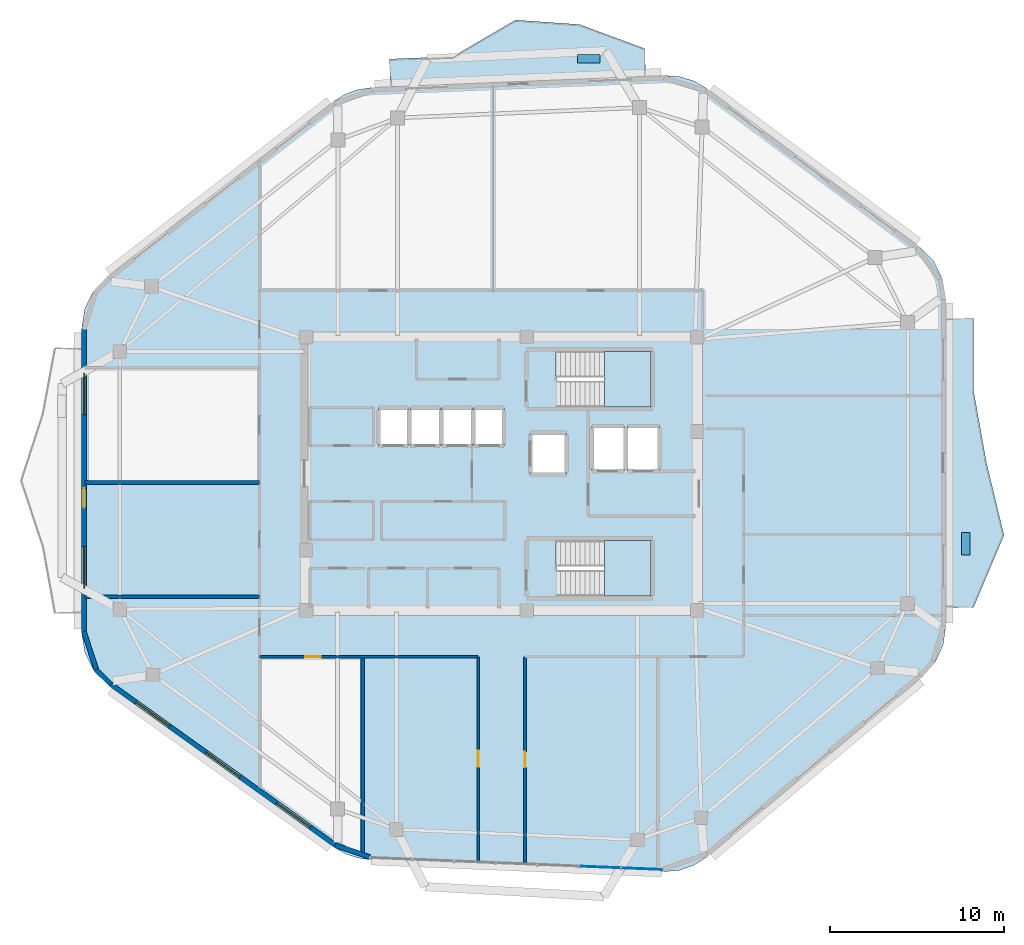
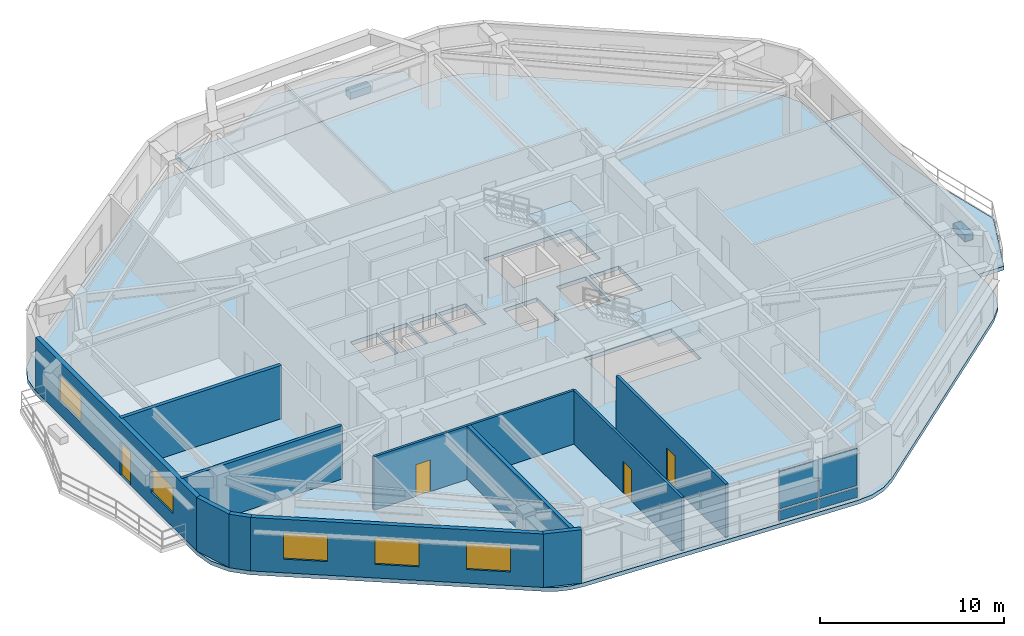
# One storey, part 7 of 13: 11 walls, 6 plates, 5 slabs, 5 windows, 4 doors, 9 openings, 3 elements without a shape of their own.
"""IFC4 building model written with IfcOpenShell, lengths in metres."""

from ifc_helpers import new_model, si_unit, direction, frame, frame_2d, origin, origin_2d, place, context, subcontext, project, spatial, polyline, rectangle, outline, extrude, material, layer, layer_set, type_object, element, fill, aggregate, save


model = new_model("IFC4")

# Units and contexts
model_context = context("Model", 3, precision=1e-05, world=origin(), true_north=direction((0.0, 1.0)))
body_context = subcontext(model_context, "Body", "Model", "MODEL_VIEW")
ifc_project = project(units=[si_unit("LENGTHUNIT", "METRE"), si_unit("AREAUNIT", "SQUARE_METRE"), si_unit("VOLUMEUNIT", "CUBIC_METRE"), si_unit("PLANEANGLEUNIT", "RADIAN"), si_unit("MASSUNIT", "GRAM", prefix="KILO")], contexts=[model_context])

# Site, building, storey
site_placement = place(None, origin())
site = spatial("IfcSite", under=ifc_project, at=site_placement, CompositionType="ELEMENT")
building_placement = place(site_placement, origin())
building = spatial("IfcBuilding", under=site, at=building_placement, Name="Zulverin Broadcast Headquarters", CompositionType="ELEMENT")
storey_placement = place(building_placement, frame((0.0, 0.0, 301.0)))
storey = spatial("IfcBuildingStorey", under=building, at=storey_placement, Name="L77", CompositionType="ELEMENT", Elevation=301.0)

# Curtain wall, plates
ifc_material_1 = material(Name="High-zone solar-control unitised curtain wall", Category="aluminium")
curtain_wall_type = type_object("IfcCurtainWallType", Name="CW-TWR-UPP", PredefinedType="USERDEFINED", material=ifc_material_1)
curtain_wall_placement = place(storey_placement, origin())
curtain_wall = element("IfcCurtainWall", 1, at=curtain_wall_placement, inside=storey, type_object=curtain_wall_type, Name="L77 Unitised Curtain Wall CW-L77-E1", ObjectType="UNITISED CURTAIN WALL", PredefinedType="USERDEFINED")
ifc_material_2 = material(Name="Low-E double-glazed pale-silver vision glass", Category="glass")
ifc_layer_1 = layer(ifc_material_2, 0.035888671875, Name="Low-E double-glazed pale-silver vision glass", Category="glass")
ifc_layer_set_1 = layer_set([ifc_layer_1], Name="Low-E double-glazed pale-silver vision glass")
plate_type_1 = type_object("IfcPlateType", Name="CW-PNL-GLZ", PredefinedType="CURTAIN_PANEL", material=ifc_layer_set_1)
plate_1_placement = place(storey_placement, frame((42.67626953125, 2.52880859375, 0.91455078125), z_axis=(0.0, 0.0, 1.0), x_axis=(0.99915627139, -0.041070005388, 0.0)))
plate_1 = element("IfcPlate", 2, at=plate_1_placement, type_object=plate_type_1, Name="CW-L77-E1 Vision Panel 05", PredefinedType="CURTAIN_PANEL", context=body_context, shape_type="SweptSolid", body=[
    extrude(rectangle(XDim=2.370849609375, YDim=0.035888671875, at=origin_2d()), origin(), (0.0, 0.0, 1.0), 2.4853515625),
])
plate_2_placement = place(storey_placement, frame((45.0849609375, 2.4296875, 0.91455078125), z_axis=(0.0, 0.0, 1.0), x_axis=(0.99915627139, -0.041070005388, 0.0)))
plate_2 = element("IfcPlate", 3, at=plate_2_placement, type_object=plate_type_1, Name="CW-L77-E1 Vision Panel 06", PredefinedType="CURTAIN_PANEL", context=body_context, shape_type="SweptSolid", body=[
    extrude(rectangle(XDim=2.370849609375, YDim=0.035888671875, at=origin_2d()), origin(), (0.0, 0.0, 1.0), 2.4853515625),
])
ifc_material_3 = material(Name="Insulated brushed pale-aluminium spandrel cassette", Category="aluminium")
ifc_layer_2 = layer(ifc_material_3, 0.050048828125, Name="Insulated brushed pale-aluminium spandrel cassette", Category="aluminium")
ifc_layer_set_2 = layer_set([ifc_layer_2], Name="Insulated brushed pale-aluminium spandrel cassette")
plate_type_2 = type_object("IfcPlateType", Name="CW-PNL-SPN", PredefinedType="CURTAIN_PANEL", material=ifc_layer_set_2)
plate_3_placement = place(storey_placement, frame((42.67626953125, 2.52880859375, 0.14013671875), z_axis=(0.0, 0.0, 1.0), x_axis=(0.99915627139, -0.041070005388, 0.0)))
plate_3 = element("IfcPlate", 4, at=plate_3_placement, type_object=plate_type_2, Name="CW-L77-E1 Spandrel Cassette 05", PredefinedType="CURTAIN_PANEL", context=body_context, shape_type="SweptSolid", body=[
    extrude(rectangle(XDim=2.370849609375, YDim=0.050048828125, at=origin_2d()), origin(), (0.0, 0.0, 1.0), 0.64453125),
])
plate_4_placement = place(storey_placement, frame((45.0849609375, 2.4296875, 0.14013671875), z_axis=(0.0, 0.0, 1.0), x_axis=(0.99915627139, -0.041070005388, 0.0)))
plate_4 = element("IfcPlate", 5, at=plate_4_placement, type_object=plate_type_2, Name="CW-L77-E1 Spandrel Cassette 06", PredefinedType="CURTAIN_PANEL", context=body_context, shape_type="SweptSolid", body=[
    extrude(rectangle(XDim=2.370849609375, YDim=0.050048828125, at=origin_2d()), origin(), (0.0, 0.0, 1.0), 0.64453125),
])
aggregate(curtain_wall, [plate_3, plate_1, plate_4, plate_2])

# Plates
ifc_material_4 = material(Name="Precast concrete C45/55", Category="concrete")
ifc_layer_3 = layer(ifc_material_4, 0.449951171875, Name="Precast concrete C45/55", Category="concrete")
ifc_layer_set_3 = layer_set([ifc_layer_3], Name="Precast concrete C45/55")
plate_type_3 = type_object("IfcPlateType", Name="PT-01_PRECAST_GFRC_TREE_PLANTER", PredefinedType="USERDEFINED", material=ifc_layer_set_3)
for number, where, z_axis, x_axis, name in (
    (6, (63.75, 21.159423828125, -0.0048828125), (0.0, 0.0, 1.0), (0.0, 1.0, 0.0), "L77 Precast GFRC Tree Planter BAL_E"),
    (7, (42.025390625, 49.115478515625, -0.0048828125), (0.0, 0.0, 1.0), (1.0, 0.0, 0.0), "L77 Precast GFRC Tree Planter BAL_N"),
):
    element("IfcPlate", number, at=place(storey_placement, frame(where, z_axis=z_axis, x_axis=x_axis)), inside=storey, type_object=plate_type_3, Name=name, ObjectType="PLANTER", PredefinedType="USERDEFINED", context=body_context, shape_type="SweptSolid", body=[
        extrude(rectangle(XDim=1.300048828125, YDim=0.5, at=origin_2d()), origin(), (0.0, 0.0, 1.0), 0.449951171875),
    ])

# Slabs
ifc_material_5 = material(Name="Concrete C40/50", Category="concrete")
ifc_layer_4 = layer(ifc_material_5, 0.260009765625, Name="Concrete C40/50", Category="concrete")
ifc_layer_set_4 = layer_set([ifc_layer_4], Name="Concrete C40/50")
slab_type_1 = type_object("IfcSlabType", Name="SLB-BAL-260", PredefinedType="FLOOR", material=ifc_layer_set_4)
slab_1_placement = place(storey_placement, frame((0.0, 0.0, -0.260009765625)))
element("IfcSlab", 8, at=slab_1_placement, inside=storey, type_object=slab_type_1, Name="L77 Cantilevered Planted Balcony Slab BAL_E", PredefinedType="FLOOR", context=body_context, shape_type="SweptSolid", body=[
    extrude(outline(polyline([(62.60009765625, 34.150146484375), (62.60009765625, 17.49560546875), (64.199951171875, 17.49560546875), (65.9541015625, 21.6591796875), (64.9462890625, 25.82275390625), (64.199951171875, 29.986328125), (64.199951171875, 34.150146484375), (62.60009765625, 34.150146484375)])), origin(), (0.0, 0.0, 1.0), 0.260009765625),
])
slab_2_placement = place(storey_placement, frame((0.0, 0.0, -0.260009765625)))
element("IfcSlab", 9, at=slab_2_placement, inside=storey, type_object=slab_type_1, Name="L77 Cantilevered Planted Balcony Slab BAL_N", PredefinedType="FLOOR", context=body_context, shape_type="SweptSolid", body=[
    extrude(outline(polyline([(30.598388671875, 47.4951171875), (45.308837890625, 48.099609375), (45.2431640625, 49.6982421875), (41.50244140625, 51.084716796875), (37.807861328125, 51.34423828125), (34.210205078125, 49.244873046875), (30.532470703125, 49.093505859375), (30.598388671875, 47.4951171875)])), origin(), (0.0, 0.0, 1.0), 0.260009765625),
])

# Stair, slab
stair_type = type_object("IfcStairType", Name="ST-CORE-1500", PredefinedType="HALF_TURN_STAIR", material=ifc_material_5)
stair_1_placement = place(storey_placement, origin())
stair_1 = element("IfcStair", 10, at=stair_1_placement, inside=storey, type_object=stair_type, Name="L77 Core Exit Stair ST-1", PredefinedType="HALF_TURN_STAIR")
ifc_layer_5 = layer(ifc_material_5, 0.199951171875, Name="Concrete C40/50", Category="concrete")
ifc_layer_set_5 = layer_set([ifc_layer_5], Name="Concrete C40/50")
slab_type_2 = type_object("IfcSlabType", Name="SLB-ST-LND200", PredefinedType="LANDING", material=ifc_layer_set_5)
slab_3_placement = place(storey_placement, frame((0.0, 0.0, 1.699951171875)))
slab_3 = element("IfcSlab", 11, at=slab_3_placement, type_object=slab_type_2, Name="ST-1 landing 1", PredefinedType="LANDING", context=body_context, shape_type="SweptSolid", body=[
    extrude(outline(polyline([(42.929931640625, 29.050048828125), (45.60009765625, 29.050048828125), (45.60009765625, 32.25), (42.929931640625, 32.25), (42.929931640625, 29.050048828125)])), origin(), (0.0, 0.0, 1.0), 0.199951171875),
])
aggregate(stair_1, [slab_3])

stair_2_placement = place(storey_placement, origin())
stair_2 = element("IfcStair", 12, at=stair_2_placement, inside=storey, type_object=stair_type, Name="L77 Core Exit Stair ST-2", PredefinedType="HALF_TURN_STAIR")
slab_4_placement = place(storey_placement, frame((0.0, 0.0, 1.699951171875)))
slab_4 = element("IfcSlab", 13, at=slab_4_placement, type_object=slab_type_2, Name="ST-2 landing 1", PredefinedType="LANDING", context=body_context, shape_type="SweptSolid", body=[
    extrude(outline(polyline([(42.929931640625, 18.14990234375), (45.60009765625, 18.14990234375), (45.60009765625, 21.35009765625), (42.929931640625, 21.35009765625), (42.929931640625, 18.14990234375)])), origin(), (0.0, 0.0, 1.0), 0.199951171875),
])
aggregate(stair_2, [slab_4])

# Slab
ifc_layer_6 = layer(ifc_material_5, 0.260009765625, Name="Concrete C40/50", Category="concrete")
ifc_layer_set_6 = layer_set([ifc_layer_6], Name="Concrete C40/50")
slab_type_3 = type_object("IfcSlabType", Name="SLB-TWR-260", PredefinedType="FLOOR", material=ifc_layer_set_6)
slab_5_placement = place(storey_placement, frame((0.0, 0.0, -0.260009765625)))
element("IfcSlab", 14, at=slab_5_placement, inside=storey, type_object=slab_type_3, Name="L77 Main Structural Floor Slab", PredefinedType="FLOOR", context=body_context, shape_type="SweptSolid", body=[
    extrude(outline(polyline([(27.364990234375, 3.66162109375), (28.00048828125, 3.293212890625), (28.695068359375, 3.05419921875), (29.422607421875, 2.953369140625), (46.284423828125, 2.26025390625), (47.21337890625, 2.33642578125), (48.095703125, 2.63671875), (48.878662109375, 3.142333984375), (61.238037109375, 13.480712890625), (61.97265625, 14.30419921875), (62.439697265625, 15.3037109375), (62.60009765625, 16.3955078125), (62.60009765625, 35.25), (62.418212890625, 36.4111328125), (61.890625, 37.4609375), (61.0673828125, 38.299560546875), (48.831298828125, 47.3974609375), (48.087646484375, 47.8291015625), (47.265869140625, 48.08251953125), (46.407958984375, 48.144775390625), (29.499267578125, 47.44970703125), (28.726318359375, 47.337646484375), (27.992919921875, 47.070068359375), (27.329345703125, 46.657958984375), (14.274169921875, 36.552978515625), (13.481201171875, 35.71875), (12.974365234375, 34.685546875), (12.800048828125, 33.548095703125), (12.800048828125, 16.0517578125), (12.988525390625, 14.86962890625), (13.535400390625, 13.804931640625), (14.386474609375, 12.963134765625), (27.364990234375, 3.66162109375)]), holes=[polyline([(40.155029296875, 30.75), (40.130126953125, 30.75), (40.130126953125, 32.25), (45.60009765625, 32.25), (45.60009765625, 29.050048828125), (40.155029296875, 29.050048828125), (40.155029296875, 30.75)]), polyline([(40.155029296875, 19.85009765625), (40.130126953125, 19.85009765625), (40.130126953125, 21.35009765625), (45.60009765625, 21.35009765625), (45.60009765625, 18.14990234375), (40.155029296875, 18.14990234375), (40.155029296875, 19.85009765625)]), polyline([(29.89990234375, 26.800048828125), (31.6201171875, 26.800048828125), (31.6201171875, 29.0), (29.89990234375, 29.0), (29.89990234375, 26.800048828125)]), polyline([(31.739990234375, 26.800048828125), (33.4599609375, 26.800048828125), (33.4599609375, 29.0), (31.739990234375, 29.0), (31.739990234375, 26.800048828125)]), polyline([(33.580078125, 26.800048828125), (35.300048828125, 26.800048828125), (35.300048828125, 29.0), (33.580078125, 29.0), (33.580078125, 26.800048828125)]), polyline([(35.419921875, 26.800048828125), (37.139892578125, 26.800048828125), (37.139892578125, 29.0), (35.419921875, 29.0), (35.419921875, 26.800048828125)]), polyline([(42.199951171875, 25.35009765625), (44.050048828125, 25.35009765625), (44.050048828125, 27.949951171875), (42.199951171875, 27.949951171875), (42.199951171875, 25.35009765625)]), polyline([(44.25, 25.35009765625), (46.10009765625, 25.35009765625), (46.10009765625, 27.949951171875), (44.25, 27.949951171875), (44.25, 25.35009765625)]), polyline([(38.64990234375, 25.14990234375), (40.75, 25.14990234375), (40.75, 27.550048828125), (38.64990234375, 27.550048828125), (38.64990234375, 25.14990234375)])]), origin(), (0.0, 0.0, 1.0), 0.260009765625),
])

# Walls
ifc_material_6 = material(Name="Acoustic drywall steel stud", Category="steel")
ifc_layer_7 = layer(ifc_material_6, 0.199951171875, Name="Acoustic drywall steel stud", Category="steel")
ifc_layer_set_7 = layer_set([ifc_layer_7], Name="Acoustic drywall steel stud")
wall_type_1 = type_object("IfcWallType", Name="WL-ACOU-200", PredefinedType="PARTITIONING", material=ifc_layer_set_7)
wall_1_placement = place(storey_placement, frame((13.0048828125, 18.10009765625, 0.0), z_axis=(0.0, 0.0, 1.0), x_axis=(1.0, 0.0, 0.0)))
element("IfcWall", 15, at=wall_1_placement, inside=storey, type_object=wall_type_1, Name="L77 Room Partition Wall RP-12", PredefinedType="PARTITIONING", context=body_context, shape_type="SweptSolid", body=[
    extrude(rectangle(XDim=10.045166015625, YDim=0.199951171875, at=frame_2d((5.0224609375, 0.0))), origin(), (0.0, 0.0, 1.0), 3.5400390625),
])
ifc_material_7 = material(Name="Double-stud acoustic drywall", Category="gypsum")
ifc_layer_8 = layer(ifc_material_7, 0.219970703125, Name="Double-stud acoustic drywall", Category="gypsum")
ifc_layer_set_8 = layer_set([ifc_layer_8], Name="Double-stud acoustic drywall")
wall_type_2 = type_object("IfcWallType", Name="WL-ACOU-220", PredefinedType="PARTITIONING", material=ifc_layer_set_8)
wall_2_placement = place(storey_placement, frame((29.0, 3.217041015625, 0.0), z_axis=(0.0, 0.0, 1.0), x_axis=(0.0, 1.0, 0.0)))
element("IfcWall", 16, at=wall_2_placement, inside=storey, type_object=wall_type_2, Name="L77 Room Partition Wall RP-07", PredefinedType="PARTITIONING", context=body_context, shape_type="SweptSolid", body=[
    extrude(rectangle(XDim=11.432861328125, YDim=0.219970703125, at=frame_2d((5.71630859375, 0.0))), origin(), (0.0, 0.0, 1.0), 3.5400390625),
])
wall_3_placement = place(storey_placement, frame((13.0048828125, 24.699951171875, 0.0), z_axis=(0.0, 0.0, 1.0), x_axis=(1.0, 0.0, 0.0)))
element("IfcWall", 17, at=wall_3_placement, inside=storey, type_object=wall_type_2, Name="L77 Room Partition Wall RP-14", PredefinedType="PARTITIONING", context=body_context, shape_type="SweptSolid", body=[
    extrude(rectangle(XDim=10.045166015625, YDim=0.219970703125, at=frame_2d((5.0224609375, 0.0))), origin(), (0.0, 0.0, 1.0), 3.5400390625),
])

# Wall, openings, door, windows
ifc_material_8 = material(Name="Insulated pale-metal clad concrete spandrel C40/50", Category="concrete")
ifc_layer_9 = layer(ifc_material_8, 0.280029296875, Name="Insulated pale-metal clad concrete spandrel C40/50", Category="concrete")
ifc_layer_set_9 = layer_set([ifc_layer_9], Name="Insulated pale-metal clad concrete spandrel C40/50")
wall_type_3 = type_object("IfcWallType", Name="WL-EXT-280", PredefinedType="STANDARD", material=ifc_layer_set_9)
wall_4_placement = place(storey_placement, frame((12.93994140625, 33.548095703125, 0.0), z_axis=(0.0, 0.0, 1.0), x_axis=(0.0, -1.0, 0.0)))
wall_4 = element("IfcWall", 18, at=wall_4_placement, inside=storey, type_object=wall_type_3, Name="L77 Pale-Metal Clad Spandrel Wall 7", PredefinedType="STANDARD", context=body_context, shape_type="SweptSolid", body=[
    extrude(rectangle(XDim=17.496337890625, YDim=0.280029296875, at=frame_2d((8.748046875, 0.0))), origin(), (0.0, 0.0, 1.0), 3.5400390625),
])
opening_1_placement = place(wall_4_placement, frame((9.1982421875, 0.0, 0.0)))
opening_1 = element("IfcOpeningElement", 19, at=opening_1_placement, cuts=wall_4, Name="Opening D-L77-TR7", PredefinedType="OPENING", context=body_context, shape_type="SweptSolid", body=[
    extrude(rectangle(XDim=1.10009765625, YDim=2.199951171875, at=frame_2d((0.550048828125, 1.10009765625))), frame((0.0, 0.14990234375, 0.0), z_axis=(0.0, -1.0, 0.0), x_axis=(1.0, 0.0, 0.0)), (0.0, 0.0, 1.0), 0.300048828125),
])
opening_2_placement = place(wall_4_placement, frame((2.54931640625, 0.0, 0.89990234375)))
opening_2 = element("IfcOpeningElement", 20, at=opening_2_placement, cuts=wall_4, Name="Opening W-L77-E71", PredefinedType="OPENING", context=body_context, shape_type="SweptSolid", body=[
    extrude(rectangle(XDim=2.39990234375, YDim=1.75, at=frame_2d((1.199951171875, 0.875))), frame((0.0, 0.14990234375, 0.0), z_axis=(0.0, -1.0, 0.0), x_axis=(1.0, 0.0, 0.0)), (0.0, 0.0, 1.0), 0.300048828125),
])
opening_3_placement = place(wall_4_placement, frame((12.546875, 0.0, 0.89990234375)))
opening_3 = element("IfcOpeningElement", 21, at=opening_3_placement, cuts=wall_4, Name="Opening W-L77-E72", PredefinedType="OPENING", context=body_context, shape_type="SweptSolid", body=[
    extrude(rectangle(XDim=2.39990234375, YDim=1.75, at=frame_2d((1.199951171875, 0.875))), frame((0.0, 0.14990234375, 0.0), z_axis=(0.0, -1.0, 0.0), x_axis=(1.0, 0.0, 0.0)), (0.0, 0.0, 1.0), 0.300048828125),
])
ifc_material_9 = material(Name="Thermally broken aluminium glazed", Category="aluminium")
door_type_1 = type_object("IfcDoorType", Name="DR-TERR-1100", OperationType="SINGLE_SWING_RIGHT", PredefinedType="DOOR", material=ifc_material_9)
door_1_placement = place(opening_1_placement, origin())
door_1 = element("IfcDoor", 22, at=door_1_placement, inside=storey, type_object=door_type_1, Name="L77 Planted Terrace Glazed Access Door 7", OperationType="SINGLE_SWING_RIGHT", OverallHeight=2.199951171875, OverallWidth=1.10009765625, PredefinedType="DOOR", context=body_context, shape_type="SweptSolid", body=[
    extrude(rectangle(XDim=1.10009765625, YDim=2.199951171875, at=frame_2d((0.550048828125, 1.10009765625))), frame((0.0, 0.02490234375, 0.0), z_axis=(0.0, -1.0, 0.0), x_axis=(1.0, 0.0, 0.0)), (0.0, 0.0, 1.0), 0.050048828125),
])
fill(opening_1, door_1)
ifc_material_10 = material(Name="Pale anodized aluminium frame with solar-control low-E double glazing", Category="aluminium")
window_type = type_object("IfcWindowType", Name="WIN-RIB-2400", PartitioningType="SINGLE_PANEL", PredefinedType="WINDOW", material=ifc_material_10)
window_1_placement = place(opening_2_placement, origin())
window_1 = element("IfcWindow", 23, at=window_1_placement, inside=storey, type_object=window_type, Name="L77 Ribbon Glazing Window 7 1", OverallHeight=1.75, OverallWidth=2.39990234375, PartitioningType="SINGLE_PANEL", PredefinedType="WINDOW", context=body_context, shape_type="SweptSolid", body=[
    extrude(rectangle(XDim=2.39990234375, YDim=1.75, at=frame_2d((1.199951171875, 0.875))), frame((0.0, 0.030029296875, 0.0), z_axis=(0.0, -1.0, 0.0), x_axis=(1.0, 0.0, 0.0)), (0.0, 0.0, 1.0), 0.06005859375),
])
fill(opening_2, window_1)
window_2_placement = place(opening_3_placement, origin())
window_2 = element("IfcWindow", 24, at=window_2_placement, inside=storey, type_object=window_type, Name="L77 Ribbon Glazing Window 7 2", OverallHeight=1.75, OverallWidth=2.39990234375, PartitioningType="SINGLE_PANEL", PredefinedType="WINDOW", context=body_context, shape_type="SweptSolid", body=[
    extrude(rectangle(XDim=2.39990234375, YDim=1.75, at=frame_2d((1.199951171875, 0.875))), frame((0.0, 0.030029296875, 0.0), z_axis=(0.0, -1.0, 0.0), x_axis=(1.0, 0.0, 0.0)), (0.0, 0.0, 1.0), 0.06005859375),
])
fill(opening_3, window_2)

# Wall, openings, windows
wall_5_placement = place(storey_placement, frame((14.468017578125, 13.076904296875, 0.0), z_axis=(0.0, 0.0, 1.0), x_axis=(0.812809888039, -0.582529042972, 0.0)))
wall_5 = element("IfcWall", 25, at=wall_5_placement, inside=storey, type_object=wall_type_3, Name="L77 Pale-Metal Clad Spandrel Wall 8", PredefinedType="STANDARD", context=body_context, shape_type="SweptSolid", body=[
    extrude(rectangle(XDim=15.967529296875, YDim=0.280029296875, at=frame_2d((7.98388671875, 0.0))), origin(), (0.0, 0.0, 1.0), 3.5400390625),
])
opening_4_placement = place(wall_5_placement, frame((1.794677734375, 0.0, 0.89990234375)))
opening_4 = element("IfcOpeningElement", 26, at=opening_4_placement, cuts=wall_5, Name="Opening W-L77-E81", PredefinedType="OPENING", context=body_context, shape_type="SweptSolid", body=[
    extrude(rectangle(XDim=2.39990234375, YDim=1.75, at=frame_2d((1.199951171875, 0.875))), frame((0.0, 0.14990234375, 0.0), z_axis=(0.0, -1.0, 0.0), x_axis=(1.0, 0.0, 0.0)), (0.0, 0.0, 1.0), 0.300048828125),
])
opening_5_placement = place(wall_5_placement, frame((6.78369140625, 0.0, 0.89990234375)))
opening_5 = element("IfcOpeningElement", 27, at=opening_5_placement, cuts=wall_5, Name="Opening W-L77-E82", PredefinedType="OPENING", context=body_context, shape_type="SweptSolid", body=[
    extrude(rectangle(XDim=2.39990234375, YDim=1.75, at=frame_2d((1.199951171875, 0.875))), frame((0.0, 0.14990234375, 0.0), z_axis=(0.0, -1.0, 0.0), x_axis=(1.0, 0.0, 0.0)), (0.0, 0.0, 1.0), 0.300048828125),
])
opening_6_placement = place(wall_5_placement, frame((11.77294921875, 0.0, 0.89990234375)))
opening_6 = element("IfcOpeningElement", 28, at=opening_6_placement, cuts=wall_5, Name="Opening W-L77-E83", PredefinedType="OPENING", context=body_context, shape_type="SweptSolid", body=[
    extrude(rectangle(XDim=2.39990234375, YDim=1.75, at=frame_2d((1.199951171875, 0.875))), frame((0.0, 0.14990234375, 0.0), z_axis=(0.0, -1.0, 0.0), x_axis=(1.0, 0.0, 0.0)), (0.0, 0.0, 1.0), 0.300048828125),
])
window_3_placement = place(opening_4_placement, origin())
window_3 = element("IfcWindow", 29, at=window_3_placement, inside=storey, type_object=window_type, Name="L77 Ribbon Glazing Window 8 1", OverallHeight=1.75, OverallWidth=2.39990234375, PartitioningType="SINGLE_PANEL", PredefinedType="WINDOW", context=body_context, shape_type="SweptSolid", body=[
    extrude(rectangle(XDim=2.39990234375, YDim=1.75, at=frame_2d((1.199951171875, 0.875))), frame((0.0, 0.030029296875, 0.0), z_axis=(0.0, -1.0, 0.0), x_axis=(1.0, 0.0, 0.0)), (0.0, 0.0, 1.0), 0.06005859375),
])
fill(opening_4, window_3)
window_4_placement = place(opening_5_placement, origin())
window_4 = element("IfcWindow", 30, at=window_4_placement, inside=storey, type_object=window_type, Name="L77 Ribbon Glazing Window 8 2", OverallHeight=1.75, OverallWidth=2.39990234375, PartitioningType="SINGLE_PANEL", PredefinedType="WINDOW", context=body_context, shape_type="SweptSolid", body=[
    extrude(rectangle(XDim=2.39990234375, YDim=1.75, at=frame_2d((1.199951171875, 0.875))), frame((0.0, 0.030029296875, 0.0), z_axis=(0.0, -1.0, 0.0), x_axis=(1.0, 0.0, 0.0)), (0.0, 0.0, 1.0), 0.06005859375),
])
fill(opening_5, window_4)
window_5_placement = place(opening_6_placement, origin())
window_5 = element("IfcWindow", 31, at=window_5_placement, inside=storey, type_object=window_type, Name="L77 Ribbon Glazing Window 8 3", OverallHeight=1.75, OverallWidth=2.39990234375, PartitioningType="SINGLE_PANEL", PredefinedType="WINDOW", context=body_context, shape_type="SweptSolid", body=[
    extrude(rectangle(XDim=2.39990234375, YDim=1.75, at=frame_2d((1.199951171875, 0.875))), frame((0.0, 0.030029296875, 0.0), z_axis=(0.0, -1.0, 0.0), x_axis=(1.0, 0.0, 0.0)), (0.0, 0.0, 1.0), 0.06005859375),
])
fill(opening_6, window_5)

# Walls
wall_6_placement = place(storey_placement, frame((12.93310546875, 16.09521484375, 0.0), z_axis=(0.0, 0.0, 1.0), x_axis=(0.3110492363, -0.950393798695, 0.0)))
element("IfcWall", 32, at=wall_6_placement, inside=storey, type_object=wall_type_3, Name="L77 Wind-Shaped Corner Spandrel Wall 7-1", PredefinedType="STANDARD", context=body_context, shape_type="SweptSolid", body=[
    extrude(rectangle(XDim=2.364013671875, YDim=0.280029296875, at=frame_2d((1.18212890625, 0.0))), origin(), (0.0, 0.0, 1.0), 3.5400390625),
])
wall_7_placement = place(storey_placement, frame((13.6337890625, 13.904296875, 0.0), z_axis=(0.0, 0.0, 1.0), x_axis=(0.710971221429, -0.703221104845, 0.0)))
element("IfcWall", 33, at=wall_7_placement, inside=storey, type_object=wall_type_3, Name="L77 Wind-Shaped Corner Spandrel Wall 7-2", PredefinedType="STANDARD", context=body_context, shape_type="SweptSolid", body=[
    extrude(rectangle(XDim=1.197021484375, YDim=0.280029296875, at=frame_2d((0.5986328125, 0.0))), origin(), (0.0, 0.0, 1.0), 3.5400390625),
])
wall_8_placement = place(storey_placement, frame((27.41064453125, 3.7939453125, 0.0), z_axis=(0.0, 0.0, 1.0), x_axis=(0.945562091627, -0.325441747289, 0.0)))
element("IfcWall", 34, at=wall_8_placement, inside=storey, type_object=wall_type_3, Name="L77 Wind-Shaped Corner Spandrel Wall 8-1", PredefinedType="STANDARD", context=body_context, shape_type="SweptSolid", body=[
    extrude(rectangle(XDim=2.111083984375, YDim=0.280029296875, at=frame_2d((1.0556640625, 0.0))), origin(), (0.0, 0.0, 1.0), 3.5400390625),
])

# Wall, opening, door
ifc_material_11 = material(Name="Fire-rated gypsum stud partition", Category="gypsum")
ifc_layer_10 = layer(ifc_material_11, 0.14990234375, Name="Fire-rated gypsum stud partition", Category="gypsum")
ifc_layer_set_10 = layer_set([ifc_layer_10], Name="Fire-rated gypsum stud partition")
wall_type_4 = type_object("IfcWallType", Name="WL-PART-150", PredefinedType="PARTITIONING", material=ifc_layer_set_10)
wall_9_placement = place(storey_placement, frame((35.64990234375, 2.90234375, 0.0), z_axis=(0.0, 0.0, 1.0), x_axis=(0.0, 1.0, 0.0)))
wall_9 = element("IfcWall", 35, at=wall_9_placement, inside=storey, type_object=wall_type_4, Name="L77 Gallery Partition Wall CG-06", PredefinedType="PARTITIONING", context=body_context, shape_type="SweptSolid", body=[
    extrude(rectangle(XDim=11.74755859375, YDim=0.14990234375, at=frame_2d((5.873779296875, 0.0))), origin(), (0.0, 0.0, 1.0), 3.5400390625),
])
opening_7_placement = place(wall_9_placement, frame((5.423828125, 0.0, 0.0)))
opening_7 = element("IfcOpeningElement", 36, at=opening_7_placement, cuts=wall_9, Name="Opening D-L77-04", PredefinedType="OPENING", context=body_context, shape_type="SweptSolid", body=[
    extrude(rectangle(XDim=0.89990234375, YDim=2.10009765625, at=frame_2d((0.449951171875, 1.050048828125))), frame((0.0, 0.0849609375, 0.0), z_axis=(0.0, -1.0, 0.0), x_axis=(1.0, 0.0, 0.0)), (0.0, 0.0, 1.0), 0.169921875),
])
ifc_material_12 = material(Name="Fire-rated hardwood veneer timber leaf", Category="wood")
door_type_2 = type_object("IfcDoorType", Name="DR-ROOM-900", OperationType="SINGLE_SWING_RIGHT", PredefinedType="DOOR", material=ifc_material_12)
door_2_placement = place(opening_7_placement, origin())
door_2 = element("IfcDoor", 37, at=door_2_placement, inside=storey, type_object=door_type_2, Name="L77 Executive Screening Suite Door", OperationType="SINGLE_SWING_RIGHT", OverallHeight=2.10009765625, OverallWidth=0.89990234375, PredefinedType="DOOR", context=body_context, shape_type="SweptSolid", body=[
    extrude(rectangle(XDim=0.89990234375, YDim=2.10009765625, at=frame_2d((0.449951171875, 1.050048828125))), frame((0.0, 0.02490234375, 0.0), z_axis=(0.0, -1.0, 0.0), x_axis=(1.0, 0.0, 0.0)), (0.0, 0.0, 1.0), 0.050048828125),
])
fill(opening_7, door_2)

wall_10_placement = place(storey_placement, frame((23.050048828125, 14.64990234375, 0.0), z_axis=(0.0, 0.0, 1.0), x_axis=(1.0, 0.0, 0.0)))
wall_10 = element("IfcWall", 38, at=wall_10_placement, inside=storey, type_object=wall_type_4, Name="L77 Gallery Partition Wall CG-09", PredefinedType="PARTITIONING", context=body_context, shape_type="SweptSolid", body=[
    extrude(rectangle(XDim=12.599853515625, YDim=0.14990234375, at=frame_2d((6.2998046875, 0.0))), origin(), (0.0, 0.0, 1.0), 3.5400390625),
])
opening_8_placement = place(wall_10_placement, frame((2.64501953125, 0.0, 0.0)))
opening_8 = element("IfcOpeningElement", 39, at=opening_8_placement, cuts=wall_10, Name="Opening D-L77-03", PredefinedType="OPENING", context=body_context, shape_type="SweptSolid", body=[
    extrude(rectangle(XDim=0.89990234375, YDim=2.10009765625, at=frame_2d((0.449951171875, 1.050048828125))), frame((0.0, 0.0849609375, 0.0), z_axis=(0.0, -1.0, 0.0), x_axis=(1.0, 0.0, 0.0)), (0.0, 0.0, 1.0), 0.169921875),
])
door_3_placement = place(opening_8_placement, origin())
door_3 = element("IfcDoor", 40, at=door_3_placement, inside=storey, type_object=door_type_2, Name="L77 Broadcast Heritage Museum Door", OperationType="SINGLE_SWING_LEFT", OverallHeight=2.10009765625, OverallWidth=0.89990234375, PredefinedType="DOOR", context=body_context, shape_type="SweptSolid", body=[
    extrude(rectangle(XDim=0.89990234375, YDim=2.10009765625, at=frame_2d((0.449951171875, 1.050048828125))), frame((0.0, 0.02490234375, 0.0), z_axis=(0.0, -1.0, 0.0), x_axis=(1.0, 0.0, 0.0)), (0.0, 0.0, 1.0), 0.050048828125),
])
fill(opening_8, door_3)

ifc_material_13 = material(Name="Fire-rated acoustic stud wall", Category="gypsum")
ifc_layer_11 = layer(ifc_material_13, 0.175048828125, Name="Fire-rated acoustic stud wall", Category="gypsum")
ifc_layer_set_11 = layer_set([ifc_layer_11], Name="Fire-rated acoustic stud wall")
wall_type_5 = type_object("IfcWallType", Name="WL-PART-175", PredefinedType="PARTITIONING", material=ifc_layer_set_11)
wall_11_placement = place(storey_placement, frame((38.35009765625, 2.79150390625, 0.0), z_axis=(0.0, 0.0, 1.0), x_axis=(0.0, 1.0, 0.0)))
wall_11 = element("IfcWall", 41, at=wall_11_placement, inside=storey, type_object=wall_type_5, Name="L77 Gallery Partition Wall CG-04", PredefinedType="PARTITIONING", context=body_context, shape_type="SweptSolid", body=[
    extrude(rectangle(XDim=11.8583984375, YDim=0.175048828125, at=frame_2d((5.92919921875, 0.0))), origin(), (0.0, 0.0, 1.0), 3.5400390625),
])
opening_9_placement = place(wall_11_placement, frame((5.479248046875, 0.0, 0.0)))
opening_9 = element("IfcOpeningElement", 42, at=opening_9_placement, cuts=wall_11, Name="Opening D-L77-05", PredefinedType="OPENING", context=body_context, shape_type="SweptSolid", body=[
    extrude(rectangle(XDim=0.89990234375, YDim=2.10009765625, at=frame_2d((0.449951171875, 1.050048828125))), frame((0.0, 0.097412109375, 0.0), z_axis=(0.0, -1.0, 0.0), x_axis=(1.0, 0.0, 0.0)), (0.0, 0.0, 1.0), 0.195068359375),
])
door_4_placement = place(opening_9_placement, origin())
door_4 = element("IfcDoor", 43, at=door_4_placement, inside=storey, type_object=door_type_2, Name="L77 Executive Fitness Gym Door", OperationType="SINGLE_SWING_LEFT", OverallHeight=2.10009765625, OverallWidth=0.89990234375, PredefinedType="DOOR", context=body_context, shape_type="SweptSolid", body=[
    extrude(rectangle(XDim=0.89990234375, YDim=2.10009765625, at=frame_2d((0.449951171875, 1.050048828125))), frame((0.0, 0.02490234375, 0.0), z_axis=(0.0, -1.0, 0.0), x_axis=(1.0, 0.0, 0.0)), (0.0, 0.0, 1.0), 0.050048828125),
])
fill(opening_9, door_4)

save(model, "model.ifc")
